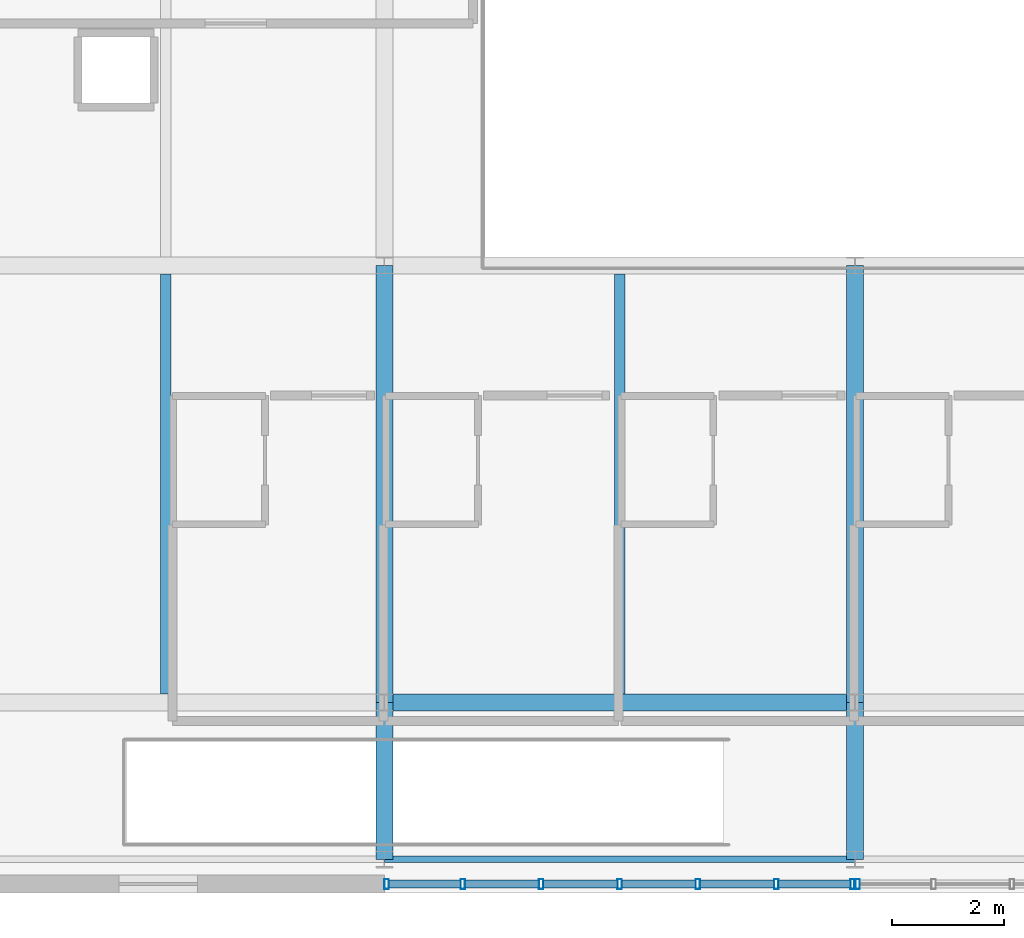
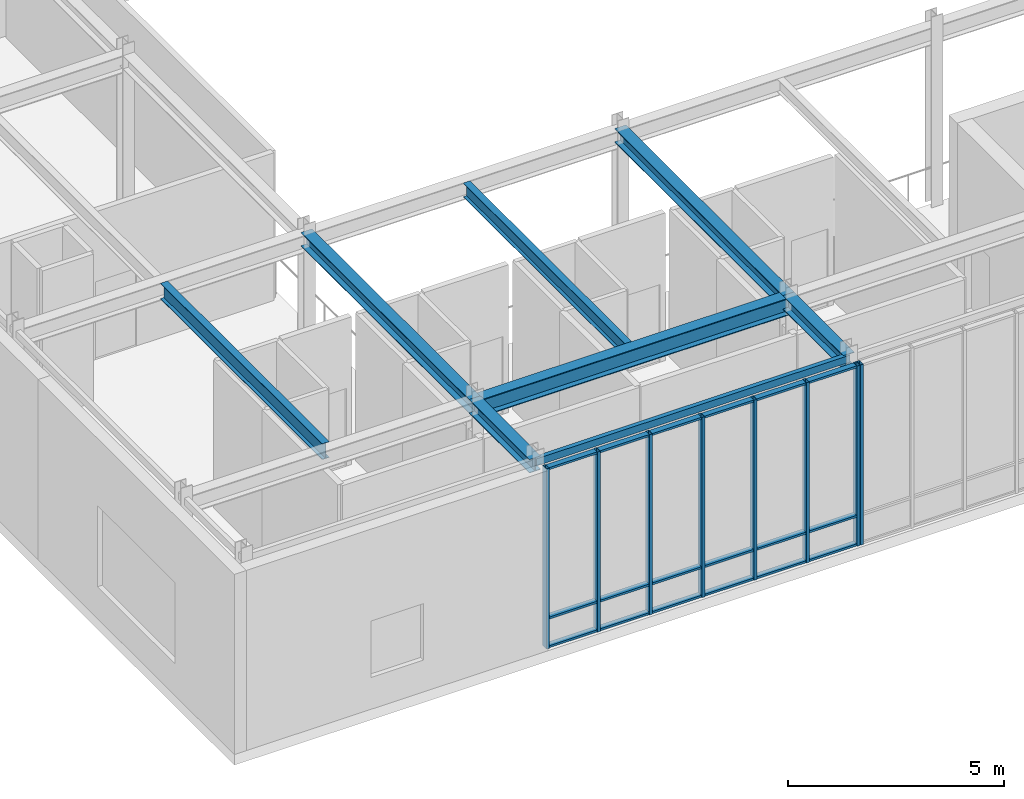
# One storey, part 76 of 139: 26 members, 8 beams, 2 elements without a shape of their own.
"""IFC4 building model written with IfcOpenShell, lengths in metres."""

from ifc_helpers import new_model, si_unit, direction, frame, origin, origin_2d, place, context, subcontext, project, spatial, hollow_rectangle, i_section, extrude, material, layer, layer_set, material_profile, profile_set, type_object, element, aggregate, save


model = new_model("IFC4")

# Units and contexts
model_context = context("Model", 3, precision=1e-05, world=origin(), true_north=direction((0.0, 1.0)))
body_context = subcontext(model_context, "Body", "Model", "MODEL_VIEW")
ifc_project = project(units=[si_unit("LENGTHUNIT", "METRE"), si_unit("AREAUNIT", "SQUARE_METRE"), si_unit("VOLUMEUNIT", "CUBIC_METRE"), si_unit("PLANEANGLEUNIT", "RADIAN"), si_unit("MASSUNIT", "GRAM", prefix="KILO")], contexts=[model_context])

# Site, building, storey
site_placement = place(None, origin())
site = spatial("IfcSite", under=ifc_project, at=site_placement, CompositionType="ELEMENT")
building_placement = place(site_placement, origin())
building = spatial("IfcBuilding", under=site, at=building_placement, Name="Zayran Congress Hotel", CompositionType="ELEMENT")
storey_placement = place(building_placement, frame((0.0, 0.0, 5.39990234375)))
storey = spatial("IfcBuildingStorey", under=building, at=storey_placement, Name="L01", CompositionType="ELEMENT", Elevation=5.39990234375)

# Beams
ifc_material_1 = material(Name="Steel S355", Category="steel")
ifc_material_profile_1 = material_profile(ifc_material_1, i_section(OverallWidth=0.300048828125, OverallDepth=0.489990234375, WebThickness=0.011962890625, FlangeThickness=0.02294921875, at=origin_2d()), Name="HEA 500")
ifc_profile_set_1 = profile_set([ifc_material_profile_1], Name="Steel S355")
beam_type_1 = type_object("IfcBeamType", Name="TP-BM-05", PredefinedType="BEAM", material=ifc_profile_set_1)
beam_1_placement = place(storey_placement, frame((159.60009765625, 9.39990234375, 4.85498046875), z_axis=(1.0, 0.0, 0.0), x_axis=(0.0, 1.0, 0.0)))
element("IfcBeam", 1, at=beam_1_placement, inside=storey, type_object=beam_type_1, Name="BM-V3-L01-1117", PredefinedType="BEAM", context=body_context, shape_type="SweptSolid", body=[
    extrude(i_section(OverallWidth=0.300048828125, OverallDepth=0.489990234375, WebThickness=0.011962890625, FlangeThickness=0.02294921875, at=origin_2d()), origin(), (0.0, 0.0, 1.0), 8.39990234375),
])
ifc_material_profile_2 = material_profile(ifc_material_1, i_section(OverallWidth=0.300048828125, OverallDepth=0.389892578125, WebThickness=0.010986328125, FlangeThickness=0.01904296875, at=origin_2d()), Name="HEA 400")
ifc_profile_set_2 = profile_set([ifc_material_profile_2], Name="Steel S355")
beam_type_2 = type_object("IfcBeamType", Name="TP-BM-06", PredefinedType="BEAM", material=ifc_profile_set_2)
beam_2_placement = place(storey_placement, frame((159.60009765625, 6.60009765625, 4.905029296875), z_axis=(0.0, 1.0, 0.0), x_axis=(-1.0, 0.0, 0.0)))
element("IfcBeam", 2, at=beam_2_placement, inside=storey, type_object=beam_type_2, Name="BM-V3-L01-1143", PredefinedType="BEAM", context=body_context, shape_type="SweptSolid", body=[
    extrude(i_section(OverallWidth=0.300048828125, OverallDepth=0.389892578125, WebThickness=0.010986328125, FlangeThickness=0.01904296875, at=origin_2d()), origin(), (0.0, 0.0, 1.0), 2.7998046875),
])
beam_3_placement = place(storey_placement, frame((159.60009765625, 9.39990234375, 4.905029296875), z_axis=(0.0, 1.0, 0.0), x_axis=(-1.0, 0.0, 0.0)))
element("IfcBeam", 3, at=beam_3_placement, inside=storey, type_object=beam_type_2, Name="BM-V3-L01-1144", PredefinedType="BEAM", context=body_context, shape_type="SweptSolid", body=[
    extrude(i_section(OverallWidth=0.300048828125, OverallDepth=0.389892578125, WebThickness=0.010986328125, FlangeThickness=0.01904296875, at=origin_2d()), origin(), (0.0, 0.0, 1.0), 7.800048828125),
])
beam_4_placement = place(storey_placement, frame((168.0, 6.60009765625, 4.905029296875), z_axis=(0.0, 1.0, 0.0), x_axis=(-1.0, 0.0, 0.0)))
element("IfcBeam", 4, at=beam_4_placement, inside=storey, type_object=beam_type_2, Name="BM-V3-L01-1147", PredefinedType="BEAM", context=body_context, shape_type="SweptSolid", body=[
    extrude(i_section(OverallWidth=0.300048828125, OverallDepth=0.389892578125, WebThickness=0.010986328125, FlangeThickness=0.01904296875, at=origin_2d()), origin(), (0.0, 0.0, 1.0), 2.7998046875),
])
beam_5_placement = place(storey_placement, frame((168.0, 9.39990234375, 4.905029296875), z_axis=(0.0, 1.0, 0.0), x_axis=(-1.0, 0.0, 0.0)))
element("IfcBeam", 5, at=beam_5_placement, inside=storey, type_object=beam_type_2, Name="BM-V3-L01-1148", PredefinedType="BEAM", context=body_context, shape_type="SweptSolid", body=[
    extrude(i_section(OverallWidth=0.300048828125, OverallDepth=0.389892578125, WebThickness=0.010986328125, FlangeThickness=0.01904296875, at=origin_2d()), origin(), (0.0, 0.0, 1.0), 7.800048828125),
])
ifc_material_profile_3 = material_profile(ifc_material_1, i_section(OverallWidth=0.18994140625, OverallDepth=0.449951171875, WebThickness=0.009521484375, FlangeThickness=0.0146484375, at=origin_2d()), Name="IPE 450")
ifc_profile_set_3 = profile_set([ifc_material_profile_3], Name="Steel S355")
beam_type_3 = type_object("IfcBeamType", Name="TP-JS-02", PredefinedType="JOIST", material=ifc_profile_set_3)
beam_6_placement = place(storey_placement, frame((155.699951171875, 9.550048828125, 4.875), z_axis=(0.0, 1.0, 0.0), x_axis=(-1.0, 0.0, 0.0)))
element("IfcBeam", 6, at=beam_6_placement, inside=storey, type_object=beam_type_3, Name="JST-V3-L01-1162", PredefinedType="JOIST", context=body_context, shape_type="SweptSolid", body=[
    extrude(i_section(OverallWidth=0.18994140625, OverallDepth=0.449951171875, WebThickness=0.009521484375, FlangeThickness=0.0146484375, at=origin_2d()), origin(), (0.0, 0.0, 1.0), 7.5),
])
ifc_material_profile_4 = material_profile(ifc_material_1, i_section(OverallWidth=0.179931640625, OverallDepth=0.39990234375, WebThickness=0.008544921875, FlangeThickness=0.013427734375, at=origin_2d()), Name="IPE 400")
ifc_profile_set_4 = profile_set([ifc_material_profile_4], Name="Steel S355")
beam_type_4 = type_object("IfcBeamType", Name="TP-JS-03", PredefinedType="JOIST", material=ifc_profile_set_4)
beam_7_placement = place(storey_placement, frame((163.800048828125, 9.550048828125, 4.900146484375), z_axis=(0.0, 1.0, 0.0), x_axis=(-1.0, 0.0, 0.0)))
element("IfcBeam", 7, at=beam_7_placement, inside=storey, type_object=beam_type_4, Name="JST-V3-L01-1165", PredefinedType="JOIST", context=body_context, shape_type="SweptSolid", body=[
    extrude(i_section(OverallWidth=0.179931640625, OverallDepth=0.39990234375, WebThickness=0.008544921875, FlangeThickness=0.013427734375, at=origin_2d()), origin(), (0.0, 0.0, 1.0), 7.5),
])
ifc_material_profile_5 = material_profile(ifc_material_1, hollow_rectangle(XDim=0.1201171875, YDim=0.199951171875, WallThickness=0.008056640625, at=origin_2d()), Name="RHS 200x120x8")
ifc_profile_set_5 = profile_set([ifc_material_profile_5], Name="Steel S355")
beam_type_5 = type_object("IfcBeamType", Name="TP-SP-02", PredefinedType="SPANDREL", material=ifc_profile_set_5)
beam_8_placement = place(storey_placement, frame((159.60009765625, 6.60009765625, 5.0), z_axis=(1.0, 0.0, 0.0), x_axis=(0.0, 1.0, 0.0)))
element("IfcBeam", 8, at=beam_8_placement, inside=storey, type_object=beam_type_5, Name="BM-V3-L01-1112", PredefinedType="SPANDREL", context=body_context, shape_type="SweptSolid", body=[
    extrude(hollow_rectangle(XDim=0.1201171875, YDim=0.199951171875, WallThickness=0.008056640625, at=origin_2d()), origin(), (0.0, 0.0, 1.0), 8.39990234375),
])

# Curtain wall, members
ifc_material_2 = material(Name="Anodised aluminium and low-E insulated glass", Category="aluminium")
ifc_layer_1 = layer(ifc_material_2, 0.179931640625)
ifc_layer_set_1 = layer_set([ifc_layer_1], Name="Anodised aluminium and low-E insulated glass")
curtain_wall_type_1 = type_object("IfcCurtainWallType", Name="CW-V3S-L01-CW-V32-8395-5100", PredefinedType="USERDEFINED", material=ifc_layer_set_1)
curtain_wall_1_placement = place(storey_placement, origin())
curtain_wall_1 = element("IfcCurtainWall", 9, at=curtain_wall_1_placement, inside=storey, type_object=curtain_wall_type_1, Name="CW-V3S-L01-1", ObjectType="CURTAIN WALL", PredefinedType="USERDEFINED")
ifc_material_3 = material(Name="Anodised aluminium framing", Category="aluminium")
ifc_material_profile_6 = material_profile(ifc_material_3, hollow_rectangle(XDim=0.080078125, YDim=0.179931640625, WallThickness=0.0048828125, at=origin_2d()), Name="RHS 180x80x5")
ifc_profile_set_6 = profile_set([ifc_material_profile_6], Name="Anodised aluminium framing")
member_type_1 = type_object("IfcMemberType", Name="TP-CWM-01", PredefinedType="MULLION", material=ifc_profile_set_6)
member_1_placement = place(storey_placement, frame((159.639892578125, 6.159912109375, 0.0), z_axis=(0.0, 0.0, 1.0), x_axis=(1.0, 0.0, 0.0)))
member_1 = element("IfcMember", 10, at=member_1_placement, type_object=member_type_1, Name="CW-V3S-L01-1-M00", PredefinedType="MULLION", context=body_context, shape_type="SweptSolid", body=[
    extrude(hollow_rectangle(XDim=0.080078125, YDim=0.179931640625, WallThickness=0.0048828125, at=origin_2d()), origin(), (0.0, 0.0, 1.0), 5.10009765625),
])
member_2_placement = place(storey_placement, frame((160.999267578125, 6.159912109375, 0.0), z_axis=(0.0, 0.0, 1.0), x_axis=(1.0, 0.0, 0.0)))
member_2 = element("IfcMember", 11, at=member_2_placement, type_object=member_type_1, Name="CW-V3S-L01-1-M01", PredefinedType="MULLION", context=body_context, shape_type="SweptSolid", body=[
    extrude(hollow_rectangle(XDim=0.080078125, YDim=0.179931640625, WallThickness=0.0048828125, at=origin_2d()), origin(), (0.0, 0.0, 1.0), 5.10009765625),
])
member_3_placement = place(storey_placement, frame((162.398193359375, 6.159912109375, 0.0), z_axis=(0.0, 0.0, 1.0), x_axis=(1.0, 0.0, 0.0)))
member_3 = element("IfcMember", 12, at=member_3_placement, type_object=member_type_1, Name="CW-V3S-L01-1-M02", PredefinedType="MULLION", context=body_context, shape_type="SweptSolid", body=[
    extrude(hollow_rectangle(XDim=0.080078125, YDim=0.179931640625, WallThickness=0.0048828125, at=origin_2d()), origin(), (0.0, 0.0, 1.0), 5.10009765625),
])
member_4_placement = place(storey_placement, frame((163.797607421875, 6.159912109375, 0.0), z_axis=(0.0, 0.0, 1.0), x_axis=(1.0, 0.0, 0.0)))
member_4 = element("IfcMember", 13, at=member_4_placement, type_object=member_type_1, Name="CW-V3S-L01-1-M03", PredefinedType="MULLION", context=body_context, shape_type="SweptSolid", body=[
    extrude(hollow_rectangle(XDim=0.080078125, YDim=0.179931640625, WallThickness=0.0048828125, at=origin_2d()), origin(), (0.0, 0.0, 1.0), 5.10009765625),
])
member_5_placement = place(storey_placement, frame((165.19677734375, 6.159912109375, 0.0), z_axis=(0.0, 0.0, 1.0), x_axis=(1.0, 0.0, 0.0)))
member_5 = element("IfcMember", 14, at=member_5_placement, type_object=member_type_1, Name="CW-V3S-L01-1-M04", PredefinedType="MULLION", context=body_context, shape_type="SweptSolid", body=[
    extrude(hollow_rectangle(XDim=0.080078125, YDim=0.179931640625, WallThickness=0.0048828125, at=origin_2d()), origin(), (0.0, 0.0, 1.0), 5.10009765625),
])
member_6_placement = place(storey_placement, frame((166.595703125, 6.159912109375, 0.0), z_axis=(0.0, 0.0, 1.0), x_axis=(1.0, 0.0, 0.0)))
member_6 = element("IfcMember", 15, at=member_6_placement, type_object=member_type_1, Name="CW-V3S-L01-1-M05", PredefinedType="MULLION", context=body_context, shape_type="SweptSolid", body=[
    extrude(hollow_rectangle(XDim=0.080078125, YDim=0.179931640625, WallThickness=0.0048828125, at=origin_2d()), origin(), (0.0, 0.0, 1.0), 5.10009765625),
])
member_7_placement = place(storey_placement, frame((167.955078125, 6.159912109375, 0.0), z_axis=(0.0, 0.0, 1.0), x_axis=(1.0, 0.0, 0.0)))
member_7 = element("IfcMember", 16, at=member_7_placement, type_object=member_type_1, Name="CW-V3S-L01-1-M06", PredefinedType="MULLION", context=body_context, shape_type="SweptSolid", body=[
    extrude(hollow_rectangle(XDim=0.080078125, YDim=0.179931640625, WallThickness=0.0048828125, at=origin_2d()), origin(), (0.0, 0.0, 1.0), 5.10009765625),
])

# Curtain wall, member
ifc_layer_2 = layer(ifc_material_2, 0.179931640625)
ifc_layer_set_2 = layer_set([ifc_layer_2], Name="Anodised aluminium and low-E insulated glass")
curtain_wall_type_2 = type_object("IfcCurtainWallType", Name="CW-V3S-L01-CW-V31-8390-5100", PredefinedType="USERDEFINED", material=ifc_layer_set_2)
curtain_wall_2_placement = place(storey_placement, origin())
curtain_wall_2 = element("IfcCurtainWall", 17, at=curtain_wall_2_placement, inside=storey, type_object=curtain_wall_type_2, Name="CW-V3S-L01-2", ObjectType="CURTAIN WALL", PredefinedType="USERDEFINED")
member_8_placement = place(storey_placement, frame((168.044921875, 6.159912109375, 0.0), z_axis=(0.0, 0.0, 1.0), x_axis=(1.0, 0.0, 0.0)))
member_8 = element("IfcMember", 18, at=member_8_placement, type_object=member_type_1, Name="CW-V3S-L01-2-M00", PredefinedType="MULLION", context=body_context, shape_type="SweptSolid", body=[
    extrude(hollow_rectangle(XDim=0.080078125, YDim=0.179931640625, WallThickness=0.0048828125, at=origin_2d()), origin(), (0.0, 0.0, 1.0), 5.10009765625),
])
aggregate(curtain_wall_2, [member_8])

# Member
ifc_material_profile_7 = material_profile(ifc_material_3, hollow_rectangle(XDim=0.06005859375, YDim=0.14990234375, WallThickness=0.00390625, at=origin_2d()), Name="RHS 150x60x4")
ifc_profile_set_7 = profile_set([ifc_material_profile_7], Name="Anodised aluminium framing")
member_type_2 = type_object("IfcMemberType", Name="TP-CWT-01", PredefinedType="USERDEFINED", material=ifc_profile_set_7)
member_9_placement = place(storey_placement, frame((159.679931640625, 6.159912109375, 0.030029296875), z_axis=(1.0, 0.0, 0.0), x_axis=(0.0, 0.0, 1.0)))
member_9 = element("IfcMember", 19, at=member_9_placement, type_object=member_type_2, Name="CW-V3S-L01-1-T00-0", ObjectType="TRANSOM", PredefinedType="USERDEFINED", context=body_context, shape_type="SweptSolid", body=[
    extrude(hollow_rectangle(XDim=0.06005859375, YDim=0.14990234375, WallThickness=0.00390625, at=origin_2d()), origin(), (0.0, 0.0, 1.0), 1.279296875),
])

member_10_placement = place(storey_placement, frame((159.679931640625, 6.159912109375, 0.840087890625), z_axis=(1.0, 0.0, 0.0), x_axis=(0.0, 0.0, 1.0)))
member_10 = element("IfcMember", 20, at=member_10_placement, type_object=member_type_2, Name="CW-V3S-L01-1-T00-1", ObjectType="TRANSOM", PredefinedType="USERDEFINED", context=body_context, shape_type="SweptSolid", body=[
    extrude(hollow_rectangle(XDim=0.06005859375, YDim=0.14990234375, WallThickness=0.00390625, at=origin_2d()), origin(), (0.0, 0.0, 1.0), 1.279296875),
])

member_11_placement = place(storey_placement, frame((159.679931640625, 6.159912109375, 5.070068359375), z_axis=(1.0, 0.0, 0.0), x_axis=(0.0, 0.0, 1.0)))
member_11 = element("IfcMember", 21, at=member_11_placement, type_object=member_type_2, Name="CW-V3S-L01-1-T00-2", ObjectType="TRANSOM", PredefinedType="USERDEFINED", context=body_context, shape_type="SweptSolid", body=[
    extrude(hollow_rectangle(XDim=0.06005859375, YDim=0.14990234375, WallThickness=0.00390625, at=origin_2d()), origin(), (0.0, 0.0, 1.0), 1.279296875),
])

member_12_placement = place(storey_placement, frame((161.039306640625, 6.159912109375, 0.030029296875), z_axis=(1.0, 0.0, 0.0), x_axis=(0.0, 0.0, 1.0)))
member_12 = element("IfcMember", 22, at=member_12_placement, type_object=member_type_2, Name="CW-V3S-L01-1-T01-0", ObjectType="TRANSOM", PredefinedType="USERDEFINED", context=body_context, shape_type="SweptSolid", body=[
    extrude(hollow_rectangle(XDim=0.06005859375, YDim=0.14990234375, WallThickness=0.00390625, at=origin_2d()), origin(), (0.0, 0.0, 1.0), 1.319091796875),
])

member_13_placement = place(storey_placement, frame((161.039306640625, 6.159912109375, 0.840087890625), z_axis=(1.0, 0.0, 0.0), x_axis=(0.0, 0.0, 1.0)))
member_13 = element("IfcMember", 23, at=member_13_placement, type_object=member_type_2, Name="CW-V3S-L01-1-T01-1", ObjectType="TRANSOM", PredefinedType="USERDEFINED", context=body_context, shape_type="SweptSolid", body=[
    extrude(hollow_rectangle(XDim=0.06005859375, YDim=0.14990234375, WallThickness=0.00390625, at=origin_2d()), origin(), (0.0, 0.0, 1.0), 1.319091796875),
])

member_14_placement = place(storey_placement, frame((161.039306640625, 6.159912109375, 5.070068359375), z_axis=(1.0, 0.0, 0.0), x_axis=(0.0, 0.0, 1.0)))
member_14 = element("IfcMember", 24, at=member_14_placement, type_object=member_type_2, Name="CW-V3S-L01-1-T01-2", ObjectType="TRANSOM", PredefinedType="USERDEFINED", context=body_context, shape_type="SweptSolid", body=[
    extrude(hollow_rectangle(XDim=0.06005859375, YDim=0.14990234375, WallThickness=0.00390625, at=origin_2d()), origin(), (0.0, 0.0, 1.0), 1.319091796875),
])

member_15_placement = place(storey_placement, frame((162.438232421875, 6.159912109375, 0.030029296875), z_axis=(1.0, 0.0, 0.0), x_axis=(0.0, 0.0, 1.0)))
member_15 = element("IfcMember", 25, at=member_15_placement, type_object=member_type_2, Name="CW-V3S-L01-1-T02-0", ObjectType="TRANSOM", PredefinedType="USERDEFINED", context=body_context, shape_type="SweptSolid", body=[
    extrude(hollow_rectangle(XDim=0.06005859375, YDim=0.14990234375, WallThickness=0.00390625, at=origin_2d()), origin(), (0.0, 0.0, 1.0), 1.3193359375),
])

member_16_placement = place(storey_placement, frame((162.438232421875, 6.159912109375, 0.840087890625), z_axis=(1.0, 0.0, 0.0), x_axis=(0.0, 0.0, 1.0)))
member_16 = element("IfcMember", 26, at=member_16_placement, type_object=member_type_2, Name="CW-V3S-L01-1-T02-1", ObjectType="TRANSOM", PredefinedType="USERDEFINED", context=body_context, shape_type="SweptSolid", body=[
    extrude(hollow_rectangle(XDim=0.06005859375, YDim=0.14990234375, WallThickness=0.00390625, at=origin_2d()), origin(), (0.0, 0.0, 1.0), 1.3193359375),
])

member_17_placement = place(storey_placement, frame((162.438232421875, 6.159912109375, 5.070068359375), z_axis=(1.0, 0.0, 0.0), x_axis=(0.0, 0.0, 1.0)))
member_17 = element("IfcMember", 27, at=member_17_placement, type_object=member_type_2, Name="CW-V3S-L01-1-T02-2", ObjectType="TRANSOM", PredefinedType="USERDEFINED", context=body_context, shape_type="SweptSolid", body=[
    extrude(hollow_rectangle(XDim=0.06005859375, YDim=0.14990234375, WallThickness=0.00390625, at=origin_2d()), origin(), (0.0, 0.0, 1.0), 1.3193359375),
])

member_18_placement = place(storey_placement, frame((163.83740234375, 6.159912109375, 0.030029296875), z_axis=(1.0, 0.0, 0.0), x_axis=(0.0, 0.0, 1.0)))
member_18 = element("IfcMember", 28, at=member_18_placement, type_object=member_type_2, Name="CW-V3S-L01-1-T03-0", ObjectType="TRANSOM", PredefinedType="USERDEFINED", context=body_context, shape_type="SweptSolid", body=[
    extrude(hollow_rectangle(XDim=0.06005859375, YDim=0.14990234375, WallThickness=0.00390625, at=origin_2d()), origin(), (0.0, 0.0, 1.0), 1.3193359375),
])

member_19_placement = place(storey_placement, frame((163.83740234375, 6.159912109375, 0.840087890625), z_axis=(1.0, 0.0, 0.0), x_axis=(0.0, 0.0, 1.0)))
member_19 = element("IfcMember", 29, at=member_19_placement, type_object=member_type_2, Name="CW-V3S-L01-1-T03-1", ObjectType="TRANSOM", PredefinedType="USERDEFINED", context=body_context, shape_type="SweptSolid", body=[
    extrude(hollow_rectangle(XDim=0.06005859375, YDim=0.14990234375, WallThickness=0.00390625, at=origin_2d()), origin(), (0.0, 0.0, 1.0), 1.3193359375),
])

member_20_placement = place(storey_placement, frame((163.83740234375, 6.159912109375, 5.070068359375), z_axis=(1.0, 0.0, 0.0), x_axis=(0.0, 0.0, 1.0)))
member_20 = element("IfcMember", 30, at=member_20_placement, type_object=member_type_2, Name="CW-V3S-L01-1-T03-2", ObjectType="TRANSOM", PredefinedType="USERDEFINED", context=body_context, shape_type="SweptSolid", body=[
    extrude(hollow_rectangle(XDim=0.06005859375, YDim=0.14990234375, WallThickness=0.00390625, at=origin_2d()), origin(), (0.0, 0.0, 1.0), 1.3193359375),
])

member_21_placement = place(storey_placement, frame((165.23681640625, 6.159912109375, 0.030029296875), z_axis=(1.0, 0.0, 0.0), x_axis=(0.0, 0.0, 1.0)))
member_21 = element("IfcMember", 31, at=member_21_placement, type_object=member_type_2, Name="CW-V3S-L01-1-T04-0", ObjectType="TRANSOM", PredefinedType="USERDEFINED", context=body_context, shape_type="SweptSolid", body=[
    extrude(hollow_rectangle(XDim=0.06005859375, YDim=0.14990234375, WallThickness=0.00390625, at=origin_2d()), origin(), (0.0, 0.0, 1.0), 1.319091796875),
])

member_22_placement = place(storey_placement, frame((165.23681640625, 6.159912109375, 0.840087890625), z_axis=(1.0, 0.0, 0.0), x_axis=(0.0, 0.0, 1.0)))
member_22 = element("IfcMember", 32, at=member_22_placement, type_object=member_type_2, Name="CW-V3S-L01-1-T04-1", ObjectType="TRANSOM", PredefinedType="USERDEFINED", context=body_context, shape_type="SweptSolid", body=[
    extrude(hollow_rectangle(XDim=0.06005859375, YDim=0.14990234375, WallThickness=0.00390625, at=origin_2d()), origin(), (0.0, 0.0, 1.0), 1.319091796875),
])

member_23_placement = place(storey_placement, frame((165.23681640625, 6.159912109375, 5.070068359375), z_axis=(1.0, 0.0, 0.0), x_axis=(0.0, 0.0, 1.0)))
member_23 = element("IfcMember", 33, at=member_23_placement, type_object=member_type_2, Name="CW-V3S-L01-1-T04-2", ObjectType="TRANSOM", PredefinedType="USERDEFINED", context=body_context, shape_type="SweptSolid", body=[
    extrude(hollow_rectangle(XDim=0.06005859375, YDim=0.14990234375, WallThickness=0.00390625, at=origin_2d()), origin(), (0.0, 0.0, 1.0), 1.319091796875),
])

member_24_placement = place(storey_placement, frame((166.6357421875, 6.159912109375, 0.030029296875), z_axis=(1.0, 0.0, 0.0), x_axis=(0.0, 0.0, 1.0)))
member_24 = element("IfcMember", 34, at=member_24_placement, type_object=member_type_2, Name="CW-V3S-L01-1-T05-0", ObjectType="TRANSOM", PredefinedType="USERDEFINED", context=body_context, shape_type="SweptSolid", body=[
    extrude(hollow_rectangle(XDim=0.06005859375, YDim=0.14990234375, WallThickness=0.00390625, at=origin_2d()), origin(), (0.0, 0.0, 1.0), 1.279296875),
])

member_25_placement = place(storey_placement, frame((166.6357421875, 6.159912109375, 0.840087890625), z_axis=(1.0, 0.0, 0.0), x_axis=(0.0, 0.0, 1.0)))
member_25 = element("IfcMember", 35, at=member_25_placement, type_object=member_type_2, Name="CW-V3S-L01-1-T05-1", ObjectType="TRANSOM", PredefinedType="USERDEFINED", context=body_context, shape_type="SweptSolid", body=[
    extrude(hollow_rectangle(XDim=0.06005859375, YDim=0.14990234375, WallThickness=0.00390625, at=origin_2d()), origin(), (0.0, 0.0, 1.0), 1.279296875),
])

member_26_placement = place(storey_placement, frame((166.6357421875, 6.159912109375, 5.070068359375), z_axis=(1.0, 0.0, 0.0), x_axis=(0.0, 0.0, 1.0)))
member_26 = element("IfcMember", 36, at=member_26_placement, type_object=member_type_2, Name="CW-V3S-L01-1-T05-2", ObjectType="TRANSOM", PredefinedType="USERDEFINED", context=body_context, shape_type="SweptSolid", body=[
    extrude(hollow_rectangle(XDim=0.06005859375, YDim=0.14990234375, WallThickness=0.00390625, at=origin_2d()), origin(), (0.0, 0.0, 1.0), 1.279296875),
])

aggregate(curtain_wall_1, [member_1, member_2, member_3, member_4, member_5, member_6, member_7, member_9, member_10, member_11, member_12, member_13, member_14, member_15, member_16, member_17, member_18, member_19, member_20, member_21, member_22, member_23, member_24, member_25, member_26])

save(model, "model.ifc")
